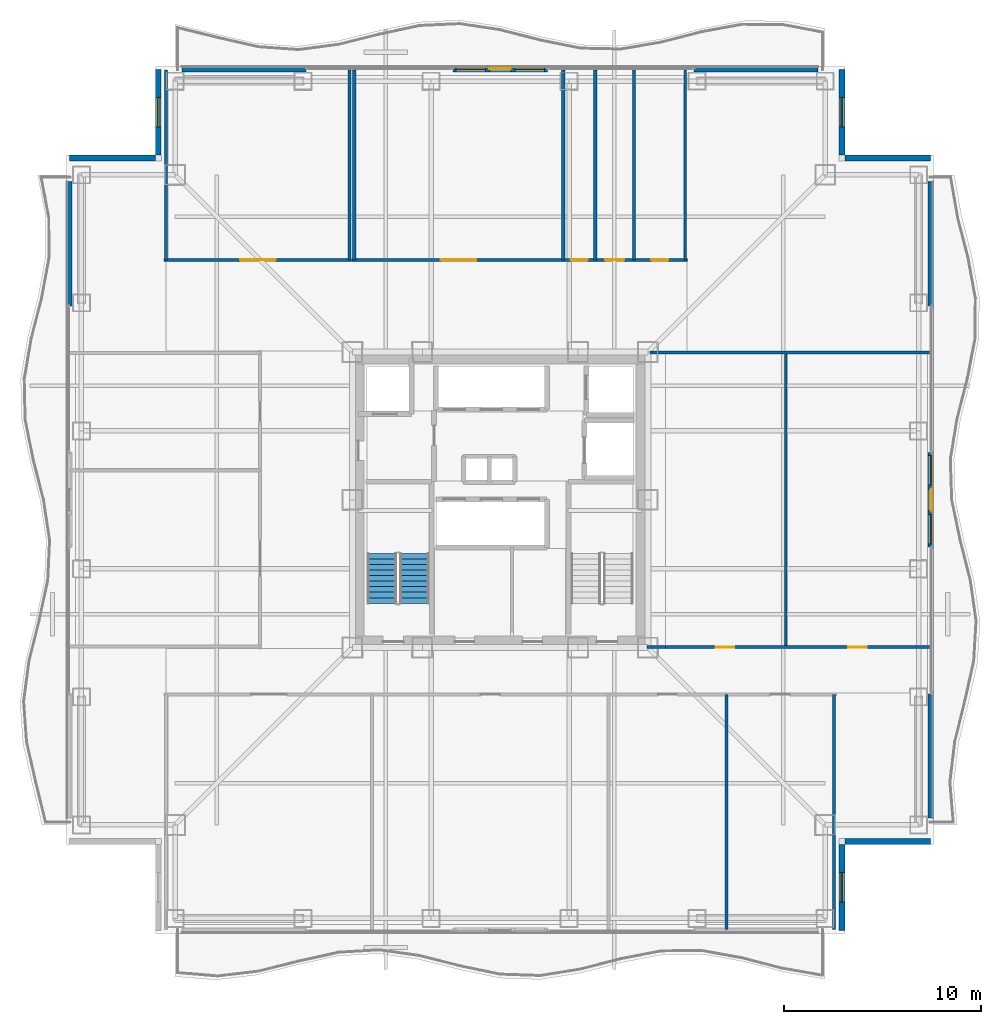
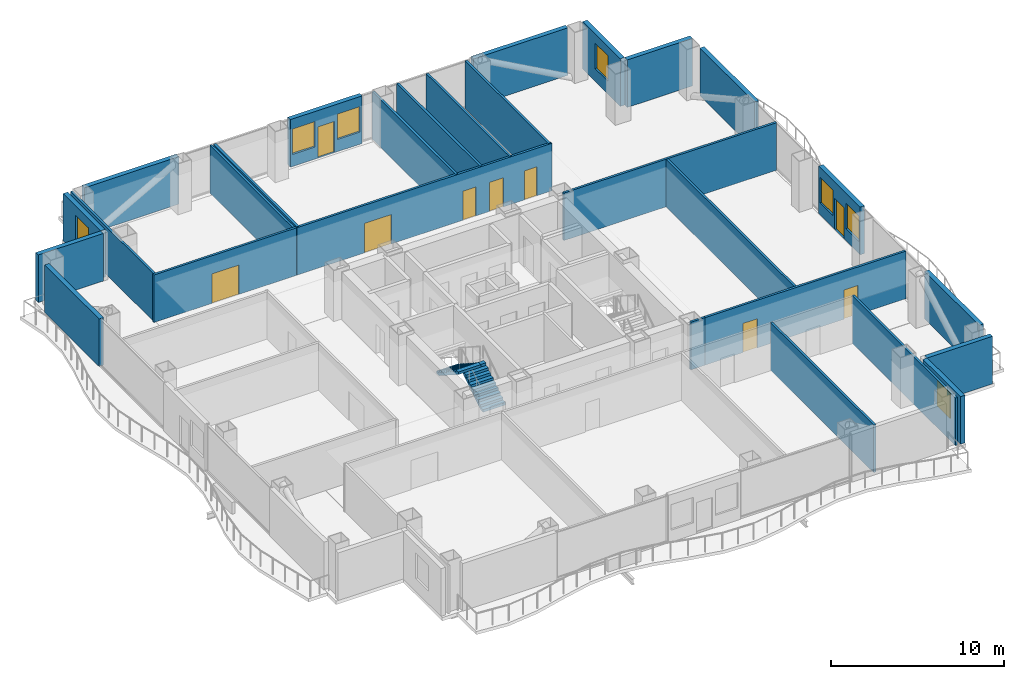
# One storey, part 13 of 18: 28 walls, 9 doors, 7 windows, 2 stair flights, 16 openings, 1 element without a shape of its own.
"""IFC4 building model written with IfcOpenShell, lengths in metres."""

from ifc_helpers import new_model, si_unit, direction, frame, frame_2d, origin, place, context, subcontext, project, spatial, polyline, rectangle, outline, extrude, material, layer, layer_set, type_object, element, fill, aggregate, save


model = new_model("IFC4")

# Units and contexts
model_context = context("Model", 3, precision=1e-05, world=origin(), true_north=direction((0.0, 1.0)))
body_context = subcontext(model_context, "Body", "Model", "MODEL_VIEW")
ifc_project = project(units=[si_unit("LENGTHUNIT", "METRE"), si_unit("AREAUNIT", "SQUARE_METRE"), si_unit("VOLUMEUNIT", "CUBIC_METRE"), si_unit("PLANEANGLEUNIT", "RADIAN"), si_unit("MASSUNIT", "GRAM", prefix="KILO")], contexts=[model_context])

# Site, building, storey
site_placement = place(None, origin())
site = spatial("IfcSite", under=ifc_project, at=site_placement, CompositionType="ELEMENT")
building_placement = place(site_placement, origin())
building = spatial("IfcBuilding", under=site, at=building_placement, Name="Trevonay Congress Spire", CompositionType="ELEMENT")
storey_placement = place(building_placement, frame((0.0, 0.0, 122.800048828125)))
storey = spatial("IfcBuildingStorey", under=building, at=storey_placement, Name="L31", CompositionType="ELEMENT", Elevation=122.800048828125)

# Wall, opening, door
ifc_material_1 = material(Name="Concrete C40/50", Category="concrete")
ifc_layer_1 = layer(ifc_material_1, 0.14990234375, Name="Concrete C40/50")
ifc_layer_set_1 = layer_set([ifc_layer_1], Name="Concrete C40/50")
wall_type_1 = type_object("IfcWallType", Name="WAL-CORR-150", PredefinedType="PARTITIONING", material=ifc_layer_set_1)
wall_1_placement = place(storey_placement, frame((-17.070068359375, 12.179931640625, 0.0), z_axis=(0.0, 0.0, 1.0), x_axis=(1.0, 0.0, 0.0)))
wall_1 = element("IfcWall", 1, at=wall_1_placement, inside=storey, type_object=wall_type_1, Name="L31 interior wall WP-L31NW-COR", PredefinedType="PARTITIONING", context=body_context, shape_type="SweptSolid", body=[
    extrude(rectangle(XDim=9.5400390625, YDim=0.14990234375, at=frame_2d((4.77001953125, 0.0))), origin(), (0.0, 0.0, 1.0), 3.35986328125),
])
opening_1_placement = place(wall_1_placement, frame((3.8701171875, 0.0, 0.0)))
opening_1 = element("IfcOpeningElement", 2, at=opening_1_placement, cuts=wall_1, Name="Opening D09", PredefinedType="OPENING", context=body_context, shape_type="SweptSolid", body=[
    extrude(rectangle(XDim=1.800048828125, YDim=2.080078125, at=frame_2d((0.89990234375, 1.0400390625))), frame((0.0, 0.0849609375, 0.0), z_axis=(0.0, -1.0, 0.0), x_axis=(1.0, 0.0, 0.0)), (0.0, 0.0, 1.0), 0.169921875),
])
ifc_material_2 = material(Name="Pale Anodised Aluminium EN AW-6063-T6", Category="aluminium")
door_type_1 = type_object("IfcDoorType", Name="DOR-CONF-DBL", OperationType="DOUBLE_DOOR_SINGLE_SWING", PredefinedType="DOOR", material=ifc_material_2)
door_1_placement = place(opening_1_placement, origin())
door_1 = element("IfcDoor", 3, at=door_1_placement, inside=storey, type_object=door_type_1, Name="L31 North-West Terrace Cafe Lounge Door", OperationType="DOUBLE_DOOR_SINGLE_SWING", OverallHeight=2.080078125, OverallWidth=1.800048828125, PredefinedType="DOOR", context=body_context, shape_type="SweptSolid", body=[
    extrude(rectangle(XDim=1.800048828125, YDim=2.080078125, at=frame_2d((0.89990234375, 1.0400390625))), frame((0.0, 0.02490234375, 0.0), z_axis=(0.0, -1.0, 0.0), x_axis=(1.0, 0.0, 0.0)), (0.0, 0.0, 1.0), 0.050048828125),
])
fill(opening_1, door_1)

# Wall, openings, doors
wall_2_placement = place(storey_placement, frame((-7.52001953125, 12.179931640625, 0.0), z_axis=(0.0, 0.0, 1.0), x_axis=(1.0, 0.0, 0.0)))
wall_2 = element("IfcWall", 4, at=wall_2_placement, inside=storey, type_object=wall_type_1, Name="L31 interior wall WP-L31NE-COR", PredefinedType="PARTITIONING", context=body_context, shape_type="SweptSolid", body=[
    extrude(rectangle(XDim=17.0400390625, YDim=0.14990234375, at=frame_2d((8.52001953125, 0.0))), origin(), (0.0, 0.0, 1.0), 3.35986328125),
])
opening_2_placement = place(wall_2_placement, frame((4.52001953125, 0.0, 0.0)))
opening_2 = element("IfcOpeningElement", 5, at=opening_2_placement, cuts=wall_2, Name="Opening D09", PredefinedType="OPENING", context=body_context, shape_type="SweptSolid", body=[
    extrude(rectangle(XDim=1.800048828125, YDim=2.080078125, at=frame_2d((0.89990234375, 1.0400390625))), frame((0.0, 0.0849609375, 0.0), z_axis=(0.0, -1.0, 0.0), x_axis=(1.0, 0.0, 0.0)), (0.0, 0.0, 1.0), 0.169921875),
])
opening_3_placement = place(wall_2_placement, frame((11.110107421875, 0.0, 0.0)))
opening_3 = element("IfcOpeningElement", 6, at=opening_3_placement, cuts=wall_2, Name="Opening D10", PredefinedType="OPENING", context=body_context, shape_type="SweptSolid", body=[
    extrude(rectangle(XDim=0.85009765625, YDim=2.050048828125, at=frame_2d((0.425048828125, 1.02490234375))), frame((0.0, 0.0849609375, 0.0), z_axis=(0.0, -1.0, 0.0), x_axis=(1.0, 0.0, 0.0)), (0.0, 0.0, 1.0), 0.169921875),
])
opening_4_placement = place(wall_2_placement, frame((12.860107421875, 0.0, 0.0)))
opening_4 = element("IfcOpeningElement", 7, at=opening_4_placement, cuts=wall_2, Name="Opening D07", PredefinedType="OPENING", context=body_context, shape_type="SweptSolid", body=[
    extrude(rectangle(XDim=0.949951171875, YDim=2.06005859375, at=frame_2d((0.47509765625, 1.030029296875))), frame((0.0, 0.0849609375, 0.0), z_axis=(0.0, -1.0, 0.0), x_axis=(1.0, 0.0, 0.0)), (0.0, 0.0, 1.0), 0.169921875),
])
opening_5_placement = place(wall_2_placement, frame((15.195068359375, 0.0, 0.0)))
opening_5 = element("IfcOpeningElement", 8, at=opening_5_placement, cuts=wall_2, Name="Opening D10", PredefinedType="OPENING", context=body_context, shape_type="SweptSolid", body=[
    extrude(rectangle(XDim=0.85009765625, YDim=2.050048828125, at=frame_2d((0.425048828125, 1.02490234375))), frame((0.0, 0.0849609375, 0.0), z_axis=(0.0, -1.0, 0.0), x_axis=(1.0, 0.0, 0.0)), (0.0, 0.0, 1.0), 0.169921875),
])
door_2_placement = place(opening_2_placement, origin())
door_2 = element("IfcDoor", 9, at=door_2_placement, inside=storey, type_object=door_type_1, Name="L31 International Press Club Lounge Door", OperationType="DOUBLE_DOOR_SINGLE_SWING", OverallHeight=2.080078125, OverallWidth=1.800048828125, PredefinedType="DOOR", context=body_context, shape_type="SweptSolid", body=[
    extrude(rectangle(XDim=1.800048828125, YDim=2.080078125, at=frame_2d((0.89990234375, 1.0400390625))), frame((0.0, 0.02490234375, 0.0), z_axis=(0.0, -1.0, 0.0), x_axis=(1.0, 0.0, 0.0)), (0.0, 0.0, 1.0), 0.050048828125),
])
fill(opening_2, door_2)
door_type_2 = type_object("IfcDoorType", Name="DOR-OFFICE-95", OperationType="NOTDEFINED", PredefinedType="DOOR", material=ifc_material_2)
door_3_placement = place(opening_4_placement, origin())
door_3 = element("IfcDoor", 10, at=door_3_placement, inside=storey, type_object=door_type_2, Name="L31 Floor Supplies and Copy Room Door", OperationType="SINGLE_SWING_LEFT", OverallHeight=2.06005859375, OverallWidth=0.949951171875, PredefinedType="DOOR", context=body_context, shape_type="SweptSolid", body=[
    extrude(rectangle(XDim=0.949951171875, YDim=2.06005859375, at=frame_2d((0.47509765625, 1.030029296875))), frame((0.0, 0.02490234375, 0.0), z_axis=(0.0, -1.0, 0.0), x_axis=(1.0, 0.0, 0.0)), (0.0, 0.0, 1.0), 0.050048828125),
])
fill(opening_4, door_3)
door_type_3 = type_object("IfcDoorType", Name="DOR-WC-85", OperationType="NOTDEFINED", PredefinedType="DOOR", material=ifc_material_2)
door_4_placement = place(opening_3_placement, origin())
door_4 = element("IfcDoor", 11, at=door_4_placement, inside=storey, type_object=door_type_3, Name="L31 Accessible WC Door", OperationType="SINGLE_SWING_RIGHT", OverallHeight=2.050048828125, OverallWidth=0.85009765625, PredefinedType="DOOR", context=body_context, shape_type="SweptSolid", body=[
    extrude(rectangle(XDim=0.85009765625, YDim=2.050048828125, at=frame_2d((0.425048828125, 1.02490234375))), frame((0.0, 0.02490234375, 0.0), z_axis=(0.0, -1.0, 0.0), x_axis=(1.0, 0.0, 0.0)), (0.0, 0.0, 1.0), 0.050048828125),
])
fill(opening_3, door_4)
door_5_placement = place(opening_5_placement, origin())
door_5 = element("IfcDoor", 12, at=door_5_placement, inside=storey, type_object=door_type_3, Name="L31 Female Restroom WC Door", OperationType="SINGLE_SWING_RIGHT", OverallHeight=2.050048828125, OverallWidth=0.85009765625, PredefinedType="DOOR", context=body_context, shape_type="SweptSolid", body=[
    extrude(rectangle(XDim=0.85009765625, YDim=2.050048828125, at=frame_2d((0.425048828125, 1.02490234375))), frame((0.0, 0.02490234375, 0.0), z_axis=(0.0, -1.0, 0.0), x_axis=(1.0, 0.0, 0.0)), (0.0, 0.0, 1.0), 0.050048828125),
])
fill(opening_5, door_5)

# Wall
wall_3_placement = place(storey_placement, frame((7.449951171875, -7.47998046875, 0.0), z_axis=(0.0, 0.0, 1.0), x_axis=(1.0, 0.0, 0.0)))
element("IfcWall", 13, at=wall_3_placement, inside=storey, type_object=wall_type_1, Name="L31 interior wall WP-L31E-STUB", PredefinedType="PARTITIONING", context=body_context, shape_type="SweptSolid", body=[
    extrude(rectangle(XDim=0.949951171875, YDim=0.14990234375, at=frame_2d((0.47509765625, 0.0))), origin(), (0.0, 0.0, 1.0), 3.35986328125),
])

# Wall, openings, doors
wall_4_placement = place(storey_placement, frame((8.280029296875, -7.47998046875, 0.0), z_axis=(0.0, 0.0, 1.0), x_axis=(1.0, 0.0, 0.0)))
wall_4 = element("IfcWall", 14, at=wall_4_placement, inside=storey, type_object=wall_type_1, Name="L31 interior wall WP-L31E-COR", PredefinedType="PARTITIONING", context=body_context, shape_type="SweptSolid", body=[
    extrude(rectangle(XDim=13.5400390625, YDim=0.14990234375, at=frame_2d((6.77001953125, 0.0))), origin(), (0.0, 0.0, 1.0), 3.35986328125),
])
opening_6_placement = place(wall_4_placement, frame((2.655029296875, 0.0, 0.0)))
opening_6 = element("IfcOpeningElement", 15, at=opening_6_placement, cuts=wall_4, Name="Opening D07", PredefinedType="OPENING", context=body_context, shape_type="SweptSolid", body=[
    extrude(rectangle(XDim=0.949951171875, YDim=2.06005859375, at=frame_2d((0.47509765625, 1.030029296875))), frame((0.0, 0.0849609375, 0.0), z_axis=(0.0, -1.0, 0.0), x_axis=(1.0, 0.0, 0.0)), (0.0, 0.0, 1.0), 0.169921875),
])
opening_7_placement = place(wall_4_placement, frame((9.385009765625, 0.0, 0.0)))
opening_7 = element("IfcOpeningElement", 16, at=opening_7_placement, cuts=wall_4, Name="Opening D07", PredefinedType="OPENING", context=body_context, shape_type="SweptSolid", body=[
    extrude(rectangle(XDim=0.949951171875, YDim=2.06005859375, at=frame_2d((0.47509765625, 1.030029296875))), frame((0.0, 0.0849609375, 0.0), z_axis=(0.0, -1.0, 0.0), x_axis=(1.0, 0.0, 0.0)), (0.0, 0.0, 1.0), 0.169921875),
])
door_6_placement = place(opening_6_placement, origin())
door_6 = element("IfcDoor", 17, at=door_6_placement, inside=storey, type_object=door_type_2, Name="L31 East Briefing Office Door", OperationType="SINGLE_SWING_LEFT", OverallHeight=2.06005859375, OverallWidth=0.949951171875, PredefinedType="DOOR", context=body_context, shape_type="SweptSolid", body=[
    extrude(rectangle(XDim=0.949951171875, YDim=2.06005859375, at=frame_2d((0.47509765625, 1.030029296875))), frame((0.0, 0.02490234375, 0.0), z_axis=(0.0, -1.0, 0.0), x_axis=(1.0, 0.0, 0.0)), (0.0, 0.0, 1.0), 0.050048828125),
])
fill(opening_6, door_6)
door_7_placement = place(opening_7_placement, origin())
door_7 = element("IfcDoor", 18, at=door_7_placement, inside=storey, type_object=door_type_2, Name="L31 Archive Copy Room Door", OperationType="SINGLE_SWING_RIGHT", OverallHeight=2.06005859375, OverallWidth=0.949951171875, PredefinedType="DOOR", context=body_context, shape_type="SweptSolid", body=[
    extrude(rectangle(XDim=0.949951171875, YDim=2.06005859375, at=frame_2d((0.47509765625, 1.030029296875))), frame((0.0, 0.02490234375, 0.0), z_axis=(0.0, -1.0, 0.0), x_axis=(1.0, 0.0, 0.0)), (0.0, 0.0, 1.0), 0.050048828125),
])
fill(opening_7, door_7)

# Walls
ifc_material_3 = material(Name="Precast concrete C40/50", Category="concrete")
ifc_layer_2 = layer(ifc_material_3, 0.300048828125, Name="Precast concrete C40/50")
ifc_layer_set_2 = layer_set([ifc_layer_2], Name="Precast concrete C40/50")
wall_type_2 = type_object("IfcWallType", Name="WAL-EXT-PRECAST-300", PredefinedType="SOLIDWALL", material=ifc_layer_set_2)
for number, where, z_axis, x_axis, name in (
    (19, (-16.14990234375, 21.8798828125, 0.0), (0.0, 0.0, 1.0), (1.0, 0.0, 0.0), "L31 NL braced-bay exterior pier wall"),
    (20, (9.85009765625, 21.8798828125, 0.0), (0.0, 0.0, 1.0), (1.0, 0.0, 0.0), "L31 NR braced-bay exterior pier wall"),
):
    element("IfcWall", number, at=place(storey_placement, frame(where, z_axis=z_axis, x_axis=x_axis)), inside=storey, type_object=wall_type_2, Name=name, PredefinedType="SOLIDWALL", context=body_context, shape_type="SweptSolid", body=[
        extrude(rectangle(XDim=6.2998046875, YDim=0.300048828125, at=frame_2d((3.14990234375, 0.0))), origin(), (0.0, 0.0, 1.0), 3.35986328125),
    ])

# Wall, openings, door, windows
wall_5_placement = place(storey_placement, frame((-2.39990234375, 21.8798828125, 0.0), z_axis=(0.0, 0.0, 1.0), x_axis=(1.0, 0.0, 0.0)))
wall_5 = element("IfcWall", 21, at=wall_5_placement, inside=storey, type_object=wall_type_2, Name="L31 N glazed balcony portal exterior wall", PredefinedType="SOLIDWALL", context=body_context, shape_type="SweptSolid", body=[
    extrude(rectangle(XDim=4.7998046875, YDim=0.300048828125, at=frame_2d((2.39990234375, 0.0))), origin(), (0.0, 0.0, 1.0), 3.35986328125),
])
opening_8_placement = place(wall_5_placement, frame((1.85009765625, 0.0, 0.0)))
opening_8 = element("IfcOpeningElement", 22, at=opening_8_placement, cuts=wall_5, Name="Opening D03", PredefinedType="OPENING", context=body_context, shape_type="SweptSolid", body=[
    extrude(rectangle(XDim=1.10009765625, YDim=2.199951171875, at=frame_2d((0.550048828125, 1.10009765625))), frame((0.0, 0.16015625, 0.0), z_axis=(0.0, -1.0, 0.0), x_axis=(1.0, 0.0, 0.0)), (0.0, 0.0, 1.0), 0.320068359375),
])
opening_9_placement = place(wall_5_placement, frame((0.14990234375, 0.0, 0.85009765625)))
opening_9 = element("IfcOpeningElement", 23, at=opening_9_placement, cuts=wall_5, Name="Opening WN03", PredefinedType="OPENING", context=body_context, shape_type="SweptSolid", body=[
    extrude(rectangle(XDim=1.5, YDim=1.800048828125, at=frame_2d((0.75, 0.89990234375))), frame((0.0, 0.16015625, 0.0), z_axis=(0.0, -1.0, 0.0), x_axis=(1.0, 0.0, 0.0)), (0.0, 0.0, 1.0), 0.320068359375),
])
opening_10_placement = place(wall_5_placement, frame((3.14990234375, 0.0, 0.85009765625)))
opening_10 = element("IfcOpeningElement", 24, at=opening_10_placement, cuts=wall_5, Name="Opening WN03", PredefinedType="OPENING", context=body_context, shape_type="SweptSolid", body=[
    extrude(rectangle(XDim=1.5, YDim=1.800048828125, at=frame_2d((0.75, 0.89990234375))), frame((0.0, 0.16015625, 0.0), z_axis=(0.0, -1.0, 0.0), x_axis=(1.0, 0.0, 0.0)), (0.0, 0.0, 1.0), 0.320068359375),
])
door_type_4 = type_object("IfcDoorType", Name="DOR-EXT-BAL-110", OperationType="NOTDEFINED", PredefinedType="DOOR", material=ifc_material_2)
door_8_placement = place(opening_8_placement, origin())
door_8 = element("IfcDoor", 25, at=door_8_placement, inside=storey, type_object=door_type_4, Name="L31 N glazed outdoor terrace and balcony door", OperationType="SINGLE_SWING_RIGHT", OverallHeight=2.199951171875, OverallWidth=1.10009765625, PredefinedType="DOOR", context=body_context, shape_type="SweptSolid", body=[
    extrude(rectangle(XDim=1.10009765625, YDim=2.199951171875, at=frame_2d((0.550048828125, 1.10009765625))), frame((0.0, 0.02490234375, 0.0), z_axis=(0.0, -1.0, 0.0), x_axis=(1.0, 0.0, 0.0)), (0.0, 0.0, 1.0), 0.050048828125),
])
fill(opening_8, door_8)
ifc_material_4 = material(Name="Insulated Low-E Vision Glass IGU", Category="glass")
window_type = type_object("IfcWindowType", Name="WIN-NOTCH-150X180", PartitioningType="SINGLE_PANEL", PredefinedType="WINDOW", material=ifc_material_4)
window_1_placement = place(opening_9_placement, origin())
window_1 = element("IfcWindow", 26, at=window_1_placement, inside=storey, type_object=window_type, Name="L31 N balcony sidelight window L", OverallHeight=1.800048828125, OverallWidth=1.5, PartitioningType="SINGLE_PANEL", PredefinedType="WINDOW", context=body_context, shape_type="SweptSolid", body=[
    extrude(rectangle(XDim=1.5, YDim=1.800048828125, at=frame_2d((0.75, 0.89990234375))), frame((0.0, 0.030029296875, 0.0), z_axis=(0.0, -1.0, 0.0), x_axis=(1.0, 0.0, 0.0)), (0.0, 0.0, 1.0), 0.06005859375),
])
fill(opening_9, window_1)
window_2_placement = place(opening_10_placement, origin())
window_2 = element("IfcWindow", 27, at=window_2_placement, inside=storey, type_object=window_type, Name="L31 N balcony sidelight window R", OverallHeight=1.800048828125, OverallWidth=1.5, PartitioningType="SINGLE_PANEL", PredefinedType="WINDOW", context=body_context, shape_type="SweptSolid", body=[
    extrude(rectangle(XDim=1.5, YDim=1.800048828125, at=frame_2d((0.75, 0.89990234375))), frame((0.0, 0.030029296875, 0.0), z_axis=(0.0, -1.0, 0.0), x_axis=(1.0, 0.0, 0.0)), (0.0, 0.0, 1.0), 0.06005859375),
])
fill(opening_10, window_2)

# Walls
for number, where, z_axis, x_axis, name in (
    (28, (-21.8798828125, 9.85009765625, 0.0), (0.0, 0.0, 1.0), (0.0, 1.0, 0.0), "L31 WR braced-bay exterior pier wall"),
    (29, (21.8798828125, -16.14990234375, 0.0), (0.0, 0.0, 1.0), (0.0, 1.0, 0.0), "L31 EL braced-bay exterior pier wall"),
    (30, (21.8798828125, 9.85009765625, 0.0), (0.0, 0.0, 1.0), (0.0, 1.0, 0.0), "L31 ER braced-bay exterior pier wall"),
):
    element("IfcWall", number, at=place(storey_placement, frame(where, z_axis=z_axis, x_axis=x_axis)), inside=storey, type_object=wall_type_2, Name=name, PredefinedType="SOLIDWALL", context=body_context, shape_type="SweptSolid", body=[
        extrude(rectangle(XDim=6.2998046875, YDim=0.300048828125, at=frame_2d((3.14990234375, 0.0))), origin(), (0.0, 0.0, 1.0), 3.35986328125),
    ])

# Wall, openings, door, windows
wall_6_placement = place(storey_placement, frame((21.8798828125, -2.39990234375, 0.0), z_axis=(0.0, 0.0, 1.0), x_axis=(0.0, 1.0, 0.0)))
wall_6 = element("IfcWall", 31, at=wall_6_placement, inside=storey, type_object=wall_type_2, Name="L31 E glazed balcony portal exterior wall", PredefinedType="SOLIDWALL", context=body_context, shape_type="SweptSolid", body=[
    extrude(rectangle(XDim=4.7998046875, YDim=0.300048828125, at=frame_2d((2.39990234375, 0.0))), origin(), (0.0, 0.0, 1.0), 3.35986328125),
])
opening_11_placement = place(wall_6_placement, frame((1.85009765625, 0.0, 0.0)))
opening_11 = element("IfcOpeningElement", 32, at=opening_11_placement, cuts=wall_6, Name="Opening D03", PredefinedType="OPENING", context=body_context, shape_type="SweptSolid", body=[
    extrude(rectangle(XDim=1.10009765625, YDim=2.199951171875, at=frame_2d((0.550048828125, 1.10009765625))), frame((0.0, 0.16015625, 0.0), z_axis=(0.0, -1.0, 0.0), x_axis=(1.0, 0.0, 0.0)), (0.0, 0.0, 1.0), 0.320068359375),
])
opening_12_placement = place(wall_6_placement, frame((0.14990234375, 0.0, 0.85009765625)))
opening_12 = element("IfcOpeningElement", 33, at=opening_12_placement, cuts=wall_6, Name="Opening WN03", PredefinedType="OPENING", context=body_context, shape_type="SweptSolid", body=[
    extrude(rectangle(XDim=1.5, YDim=1.800048828125, at=frame_2d((0.75, 0.89990234375))), frame((0.0, 0.16015625, 0.0), z_axis=(0.0, -1.0, 0.0), x_axis=(1.0, 0.0, 0.0)), (0.0, 0.0, 1.0), 0.320068359375),
])
opening_13_placement = place(wall_6_placement, frame((3.14990234375, 0.0, 0.85009765625)))
opening_13 = element("IfcOpeningElement", 34, at=opening_13_placement, cuts=wall_6, Name="Opening WN03", PredefinedType="OPENING", context=body_context, shape_type="SweptSolid", body=[
    extrude(rectangle(XDim=1.5, YDim=1.800048828125, at=frame_2d((0.75, 0.89990234375))), frame((0.0, 0.16015625, 0.0), z_axis=(0.0, -1.0, 0.0), x_axis=(1.0, 0.0, 0.0)), (0.0, 0.0, 1.0), 0.320068359375),
])
door_9_placement = place(opening_11_placement, origin())
door_9 = element("IfcDoor", 35, at=door_9_placement, inside=storey, type_object=door_type_4, Name="L31 E glazed outdoor terrace and balcony door", OperationType="SINGLE_SWING_RIGHT", OverallHeight=2.199951171875, OverallWidth=1.10009765625, PredefinedType="DOOR", context=body_context, shape_type="SweptSolid", body=[
    extrude(rectangle(XDim=1.10009765625, YDim=2.199951171875, at=frame_2d((0.550048828125, 1.10009765625))), frame((0.0, 0.02490234375, 0.0), z_axis=(0.0, -1.0, 0.0), x_axis=(1.0, 0.0, 0.0)), (0.0, 0.0, 1.0), 0.050048828125),
])
fill(opening_11, door_9)
window_3_placement = place(opening_12_placement, origin())
window_3 = element("IfcWindow", 36, at=window_3_placement, inside=storey, type_object=window_type, Name="L31 E balcony sidelight window L", OverallHeight=1.800048828125, OverallWidth=1.5, PartitioningType="SINGLE_PANEL", PredefinedType="WINDOW", context=body_context, shape_type="SweptSolid", body=[
    extrude(rectangle(XDim=1.5, YDim=1.800048828125, at=frame_2d((0.75, 0.89990234375))), frame((0.0, 0.030029296875, 0.0), z_axis=(0.0, -1.0, 0.0), x_axis=(1.0, 0.0, 0.0)), (0.0, 0.0, 1.0), 0.06005859375),
])
fill(opening_12, window_3)
window_4_placement = place(opening_13_placement, origin())
window_4 = element("IfcWindow", 37, at=window_4_placement, inside=storey, type_object=window_type, Name="L31 E balcony sidelight window R", OverallHeight=1.800048828125, OverallWidth=1.5, PartitioningType="SINGLE_PANEL", PredefinedType="WINDOW", context=body_context, shape_type="SweptSolid", body=[
    extrude(rectangle(XDim=1.5, YDim=1.800048828125, at=frame_2d((0.75, 0.89990234375))), frame((0.0, 0.030029296875, 0.0), z_axis=(0.0, -1.0, 0.0), x_axis=(1.0, 0.0, 0.0)), (0.0, 0.0, 1.0), 0.06005859375),
])
fill(opening_13, window_4)

# Wall, opening, window
wall_7_placement = place(storey_placement, frame((17.35009765625, -21.85009765625, 0.0), z_axis=(0.0, 0.0, 1.0), x_axis=(0.0, 1.0, 0.0)))
wall_7 = element("IfcWall", 38, at=wall_7_placement, inside=storey, type_object=wall_type_2, Name="L31 SE re-entrant notch exterior wall 1", PredefinedType="SOLIDWALL", context=body_context, shape_type="SweptSolid", body=[
    extrude(rectangle(XDim=4.35009765625, YDim=0.300048828125, at=frame_2d((2.175048828125, 0.0))), origin(), (0.0, 0.0, 1.0), 3.35986328125),
])
opening_14_placement = place(wall_7_placement, frame((1.425048828125, 0.0, 0.89990234375)))
opening_14 = element("IfcOpeningElement", 39, at=opening_14_placement, cuts=wall_7, Name="Opening WN03", PredefinedType="OPENING", context=body_context, shape_type="SweptSolid", body=[
    extrude(rectangle(XDim=1.5, YDim=1.800048828125, at=frame_2d((0.75, 0.89990234375))), frame((0.0, 0.16015625, 0.0), z_axis=(0.0, -1.0, 0.0), x_axis=(1.0, 0.0, 0.0)), (0.0, 0.0, 1.0), 0.320068359375),
])
window_5_placement = place(opening_14_placement, origin())
window_5 = element("IfcWindow", 40, at=window_5_placement, inside=storey, type_object=window_type, Name="L31 SE corner notch window", OverallHeight=1.800048828125, OverallWidth=1.5, PartitioningType="SINGLE_PANEL", PredefinedType="WINDOW", context=body_context, shape_type="SweptSolid", body=[
    extrude(rectangle(XDim=1.5, YDim=1.800048828125, at=frame_2d((0.75, 0.89990234375))), frame((0.0, 0.030029296875, 0.0), z_axis=(0.0, -1.0, 0.0), x_axis=(1.0, 0.0, 0.0)), (0.0, 0.0, 1.0), 0.06005859375),
])
fill(opening_14, window_5)

# Wall
wall_8_placement = place(storey_placement, frame((21.85009765625, -17.35009765625, 0.0), z_axis=(0.0, 0.0, 1.0), x_axis=(-1.0, 0.0, 0.0)))
element("IfcWall", 41, at=wall_8_placement, inside=storey, type_object=wall_type_2, Name="L31 SE re-entrant notch exterior wall 2", PredefinedType="SOLIDWALL", context=body_context, shape_type="SweptSolid", body=[
    extrude(rectangle(XDim=4.35009765625, YDim=0.300048828125, at=frame_2d((2.175048828125, 0.0))), origin(), (0.0, 0.0, 1.0), 3.35986328125),
])

# Wall, opening, window
wall_9_placement = place(storey_placement, frame((17.35009765625, 21.85009765625, 0.0), z_axis=(0.0, 0.0, 1.0), x_axis=(0.0, -1.0, 0.0)))
wall_9 = element("IfcWall", 42, at=wall_9_placement, inside=storey, type_object=wall_type_2, Name="L31 NE re-entrant notch exterior wall 1", PredefinedType="SOLIDWALL", context=body_context, shape_type="SweptSolid", body=[
    extrude(rectangle(XDim=4.35009765625, YDim=0.300048828125, at=frame_2d((2.175048828125, 0.0))), origin(), (0.0, 0.0, 1.0), 3.35986328125),
])
opening_15_placement = place(wall_9_placement, frame((1.425048828125, 0.0, 0.89990234375)))
opening_15 = element("IfcOpeningElement", 43, at=opening_15_placement, cuts=wall_9, Name="Opening WN03", PredefinedType="OPENING", context=body_context, shape_type="SweptSolid", body=[
    extrude(rectangle(XDim=1.5, YDim=1.800048828125, at=frame_2d((0.75, 0.89990234375))), frame((0.0, 0.16015625, 0.0), z_axis=(0.0, -1.0, 0.0), x_axis=(1.0, 0.0, 0.0)), (0.0, 0.0, 1.0), 0.320068359375),
])
window_6_placement = place(opening_15_placement, origin())
window_6 = element("IfcWindow", 44, at=window_6_placement, inside=storey, type_object=window_type, Name="L31 NE corner notch window", OverallHeight=1.800048828125, OverallWidth=1.5, PartitioningType="SINGLE_PANEL", PredefinedType="WINDOW", context=body_context, shape_type="SweptSolid", body=[
    extrude(rectangle(XDim=1.5, YDim=1.800048828125, at=frame_2d((0.75, 0.89990234375))), frame((0.0, 0.030029296875, 0.0), z_axis=(0.0, -1.0, 0.0), x_axis=(1.0, 0.0, 0.0)), (0.0, 0.0, 1.0), 0.06005859375),
])
fill(opening_15, window_6)

# Wall
wall_10_placement = place(storey_placement, frame((21.85009765625, 17.35009765625, 0.0), z_axis=(0.0, 0.0, 1.0), x_axis=(-1.0, 0.0, 0.0)))
element("IfcWall", 45, at=wall_10_placement, inside=storey, type_object=wall_type_2, Name="L31 NE re-entrant notch exterior wall 2", PredefinedType="SOLIDWALL", context=body_context, shape_type="SweptSolid", body=[
    extrude(rectangle(XDim=4.35009765625, YDim=0.300048828125, at=frame_2d((2.175048828125, 0.0))), origin(), (0.0, 0.0, 1.0), 3.35986328125),
])

# Wall, opening, window
wall_11_placement = place(storey_placement, frame((-17.35009765625, 21.85009765625, 0.0), z_axis=(0.0, 0.0, 1.0), x_axis=(0.0, -1.0, 0.0)))
wall_11 = element("IfcWall", 46, at=wall_11_placement, inside=storey, type_object=wall_type_2, Name="L31 NW re-entrant notch exterior wall 1", PredefinedType="SOLIDWALL", context=body_context, shape_type="SweptSolid", body=[
    extrude(rectangle(XDim=4.35009765625, YDim=0.300048828125, at=frame_2d((2.175048828125, 0.0))), origin(), (0.0, 0.0, 1.0), 3.35986328125),
])
opening_16_placement = place(wall_11_placement, frame((1.425048828125, 0.0, 0.89990234375)))
opening_16 = element("IfcOpeningElement", 47, at=opening_16_placement, cuts=wall_11, Name="Opening WN03", PredefinedType="OPENING", context=body_context, shape_type="SweptSolid", body=[
    extrude(rectangle(XDim=1.5, YDim=1.800048828125, at=frame_2d((0.75, 0.89990234375))), frame((0.0, 0.16015625, 0.0), z_axis=(0.0, -1.0, 0.0), x_axis=(1.0, 0.0, 0.0)), (0.0, 0.0, 1.0), 0.320068359375),
])
window_7_placement = place(opening_16_placement, origin())
window_7 = element("IfcWindow", 48, at=window_7_placement, inside=storey, type_object=window_type, Name="L31 NW corner notch window", OverallHeight=1.800048828125, OverallWidth=1.5, PartitioningType="SINGLE_PANEL", PredefinedType="WINDOW", context=body_context, shape_type="SweptSolid", body=[
    extrude(rectangle(XDim=1.5, YDim=1.800048828125, at=frame_2d((0.75, 0.89990234375))), frame((0.0, 0.030029296875, 0.0), z_axis=(0.0, -1.0, 0.0), x_axis=(1.0, 0.0, 0.0)), (0.0, 0.0, 1.0), 0.06005859375),
])
fill(opening_16, window_7)

# Walls
wall_12_placement = place(storey_placement, frame((-21.85009765625, 17.35009765625, 0.0), z_axis=(0.0, 0.0, 1.0), x_axis=(1.0, 0.0, 0.0)))
element("IfcWall", 49, at=wall_12_placement, inside=storey, type_object=wall_type_2, Name="L31 NW re-entrant notch exterior wall 2", PredefinedType="SOLIDWALL", context=body_context, shape_type="SweptSolid", body=[
    extrude(rectangle(XDim=4.35009765625, YDim=0.300048828125, at=frame_2d((2.175048828125, 0.0))), origin(), (0.0, 0.0, 1.0), 3.35986328125),
])
ifc_layer_3 = layer(ifc_material_1, 0.14990234375, Name="Concrete C40/50")
ifc_layer_set_3 = layer_set([ifc_layer_3], Name="Concrete C40/50")
wall_type_3 = type_object("IfcWallType", Name="WAL-PART-150", PredefinedType="PARTITIONING", material=ifc_layer_set_3)
for number, where, z_axis, x_axis, name in (
    (50, (11.5, -21.820068359375, 0.0), (0.0, 0.0, 1.0), (0.0, 1.0, 0.0), "L31 interior wall WP-L31S-DIV4"),
    (51, (16.949951171875, -21.820068359375, 0.0), (0.0, 0.0, 1.0), (0.0, 1.0, 0.0), "L31 interior wall WP-L31S-DIV5"),
):
    element("IfcWall", number, at=place(storey_placement, frame(where, z_axis=z_axis, x_axis=x_axis)), inside=storey, type_object=wall_type_3, Name=name, PredefinedType="PARTITIONING", context=body_context, shape_type="SweptSolid", body=[
        extrude(rectangle(XDim=11.940185546875, YDim=0.14990234375, at=frame_2d((5.97021484375, 0.0))), origin(), (0.0, 0.0, 1.0), 3.35986328125),
    ])
for number, where, z_axis, x_axis, name in (
    (52, (-16.949951171875, 12.179931640625, 0.0), (0.0, 0.0, 1.0), (0.0, 1.0, 0.0), "L31 interior wall WP-L31NW-DIV1"),
    (53, (-7.64990234375, 12.179931640625, 0.0), (0.0, 0.0, 1.0), (0.0, 1.0, 0.0), "L31 interior wall WP-L31NW-DIV2"),
    (54, (6.800048828125, 12.179931640625, 0.0), (0.0, 0.0, 1.0), (0.0, 1.0, 0.0), "L31 interior wall WP-L31NE-DIV3"),
    (55, (9.39990234375, 12.179931640625, 0.0), (0.0, 0.0, 1.0), (0.0, 1.0, 0.0), "L31 interior wall WP-L31NE-DIV4"),
):
    element("IfcWall", number, at=place(storey_placement, frame(where, z_axis=z_axis, x_axis=x_axis)), inside=storey, type_object=wall_type_3, Name=name, PredefinedType="PARTITIONING", context=body_context, shape_type="SweptSolid", body=[
        extrude(rectangle(XDim=9.64013671875, YDim=0.14990234375, at=frame_2d((4.820068359375, 0.0))), origin(), (0.0, 0.0, 1.0), 3.35986328125),
    ])
wall_13_placement = place(storey_placement, frame((14.5, -7.47998046875, 0.0), z_axis=(0.0, 0.0, 1.0), x_axis=(0.0, 1.0, 0.0)))
element("IfcWall", 56, at=wall_13_placement, inside=storey, type_object=wall_type_3, Name="L31 interior wall WP-L31E-DIV1", PredefinedType="PARTITIONING", context=body_context, shape_type="SweptSolid", body=[
    extrude(rectangle(XDim=14.8798828125, YDim=0.14990234375, at=frame_2d((7.43994140625, 0.0))), origin(), (0.0, 0.0, 1.0), 3.35986328125),
])
wall_14_placement = place(storey_placement, frame((7.60009765625, 7.47998046875, 0.0), z_axis=(0.0, 0.0, 1.0), x_axis=(1.0, 0.0, 0.0)))
element("IfcWall", 57, at=wall_14_placement, inside=storey, type_object=wall_type_3, Name="L31 interior wall WP-L31E-NCLS", PredefinedType="PARTITIONING", context=body_context, shape_type="SweptSolid", body=[
    extrude(rectangle(XDim=14.219970703125, YDim=0.14990234375, at=frame_2d((7.10986328125, 0.0))), origin(), (0.0, 0.0, 1.0), 3.35986328125),
])
ifc_layer_4 = layer(ifc_material_1, 0.1650390625, Name="Concrete C40/50")
ifc_layer_set_4 = layer_set([ifc_layer_4], Name="Concrete C40/50")
wall_type_4 = type_object("IfcWallType", Name="WAL-WET-165", PredefinedType="PLUMBINGWALL", material=ifc_layer_set_4)
for number, where, z_axis, x_axis, name in (
    (58, (4.830078125, 12.179931640625, 0.0), (0.0, 0.0, 1.0), (0.0, 1.0, 0.0), "L31 interior wall WP-L31NE-WCS2"),
    (59, (-7.39990234375, 12.179931640625, 0.0), (0.0, 0.0, 1.0), (0.0, 1.0, 0.0), "L31 interior wall WP-L31NE-DIV1"),
    (60, (3.199951171875, 12.179931640625, 0.0), (0.0, 0.0, 1.0), (0.0, 1.0, 0.0), "L31 interior wall WP-L31NE-DIV2"),
):
    element("IfcWall", number, at=place(storey_placement, frame(where, z_axis=z_axis, x_axis=x_axis)), inside=storey, type_object=wall_type_4, Name=name, PredefinedType="PLUMBINGWALL", context=body_context, shape_type="SweptSolid", body=[
        extrude(rectangle(XDim=9.64013671875, YDim=0.1650390625, at=frame_2d((4.820068359375, 0.0))), origin(), (0.0, 0.0, 1.0), 3.35986328125),
    ])

# Stair, stair flights
stair_type = type_object("IfcStairType", Name="STR-ST-1", PredefinedType="HALF_TURN_STAIR", material=ifc_material_1)
stair_placement = place(storey_placement, origin())
stair = element("IfcStair", 61, at=stair_placement, inside=storey, type_object=stair_type, Name="L31 Protected Exit Stair ST-1", PredefinedType="HALF_TURN_STAIR")
stair_flight_type = type_object("IfcStairFlightType", Name="SFL-ST-1", PredefinedType="STRAIGHT", material=ifc_material_1)
stair_flight_1_placement = place(storey_placement, frame((-4.35009765625, -5.25, 0.0), z_axis=(0.0, 0.0, 1.0), x_axis=(0.0, 1.0, 0.0)))
stair_flight_1 = element("IfcStairFlight", 62, at=stair_flight_1_placement, type_object=stair_flight_type, Name="ST-1 flight 1", NumberOfRisers=10, NumberOfTreads=9, PredefinedType="STRAIGHT", RiserHeight=0.18, TreadLength=0.28, context=body_context, shape_type="SweptSolid", body=[
    extrude(outline(polyline([(0.0, 0.0), (0.0, 0.179931640625), (0.280029296875, 0.179931640625), (0.280029296875, 0.360107421875), (0.56005859375, 0.360107421875), (0.56005859375, 0.5400390625), (0.840087890625, 0.5400390625), (0.840087890625, 0.719970703125), (1.1201171875, 0.719970703125), (1.1201171875, 0.89990234375), (1.39990234375, 0.89990234375), (1.39990234375, 1.080078125), (1.679931640625, 1.080078125), (1.679931640625, 1.260009765625), (1.9599609375, 1.260009765625), (1.9599609375, 1.43994140625), (2.239990234375, 1.43994140625), (2.239990234375, 1.6201171875), (2.52001953125, 1.6201171875), (2.52001953125, 1.800048828125), (2.52001953125, 1.44189453125), (0.277099609375, 0.0), (0.0, 0.0)])), frame((0.0, 0.75, 0.0), z_axis=(0.0, -1.0, 0.0), x_axis=(1.0, 0.0, 0.0)), (0.0, 0.0, 1.0), 1.5),
])
stair_flight_2_placement = place(storey_placement, frame((-6.0, -2.72998046875, 1.800048828125), z_axis=(0.0, 0.0, 1.0), x_axis=(0.0, -1.0, 0.0)))
stair_flight_2 = element("IfcStairFlight", 63, at=stair_flight_2_placement, type_object=stair_flight_type, Name="ST-1 flight 2", NumberOfRisers=10, NumberOfTreads=9, PredefinedType="STRAIGHT", RiserHeight=0.18, TreadLength=0.28, context=body_context, shape_type="SweptSolid", body=[
    extrude(outline(polyline([(0.0, 0.0), (0.0, 0.179931640625), (0.280029296875, 0.179931640625), (0.280029296875, 0.360107421875), (0.56005859375, 0.360107421875), (0.56005859375, 0.5400390625), (0.840087890625, 0.5400390625), (0.840087890625, 0.719970703125), (1.1201171875, 0.719970703125), (1.1201171875, 0.89990234375), (1.39990234375, 0.89990234375), (1.39990234375, 1.080078125), (1.679931640625, 1.080078125), (1.679931640625, 1.260009765625), (1.9599609375, 1.260009765625), (1.9599609375, 1.43994140625), (2.239990234375, 1.43994140625), (2.239990234375, 1.6201171875), (2.52001953125, 1.6201171875), (2.52001953125, 1.800048828125), (2.52001953125, 1.44189453125), (0.277099609375, 0.0), (0.0, 0.0)])), frame((0.0, 0.75, 0.0), z_axis=(0.0, -1.0, 0.0), x_axis=(1.0, 0.0, 0.0)), (0.0, 0.0, 1.0), 1.5),
])
aggregate(stair, [stair_flight_1, stair_flight_2])

save(model, "model.ifc")
